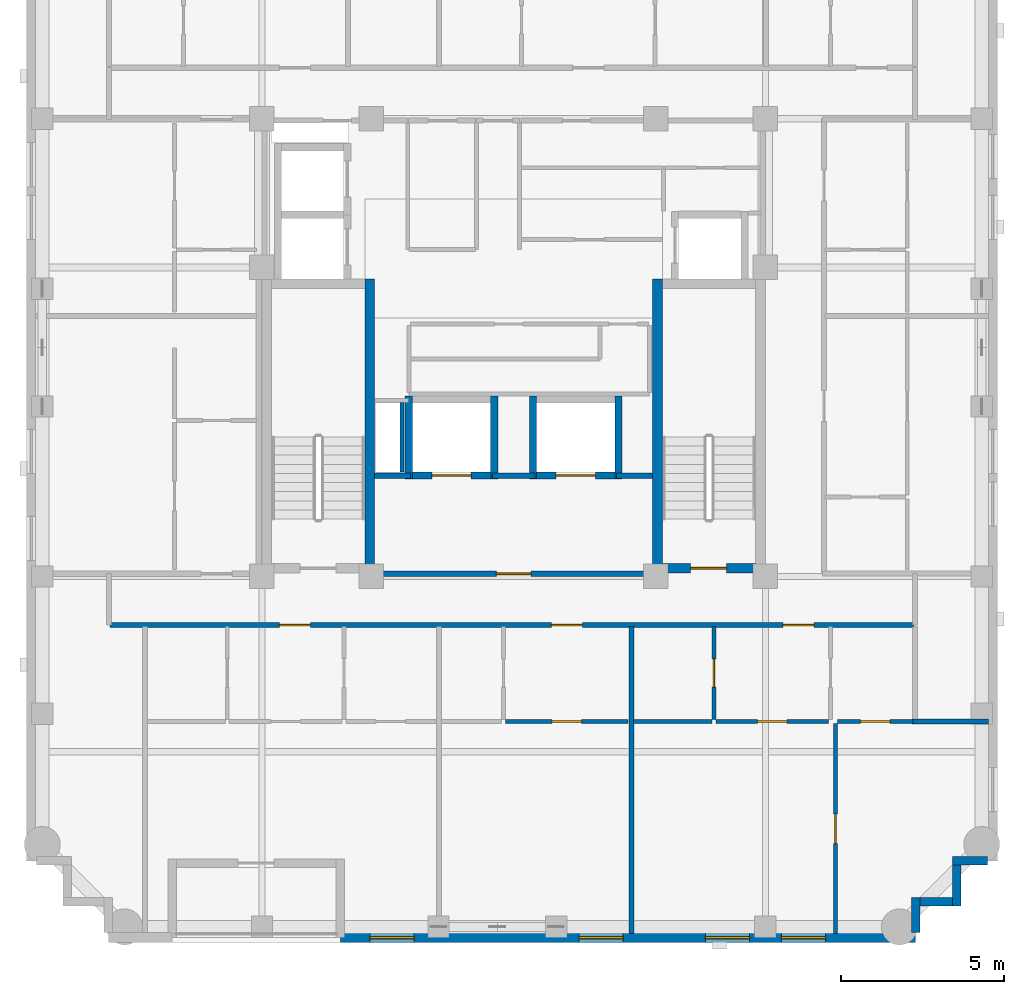
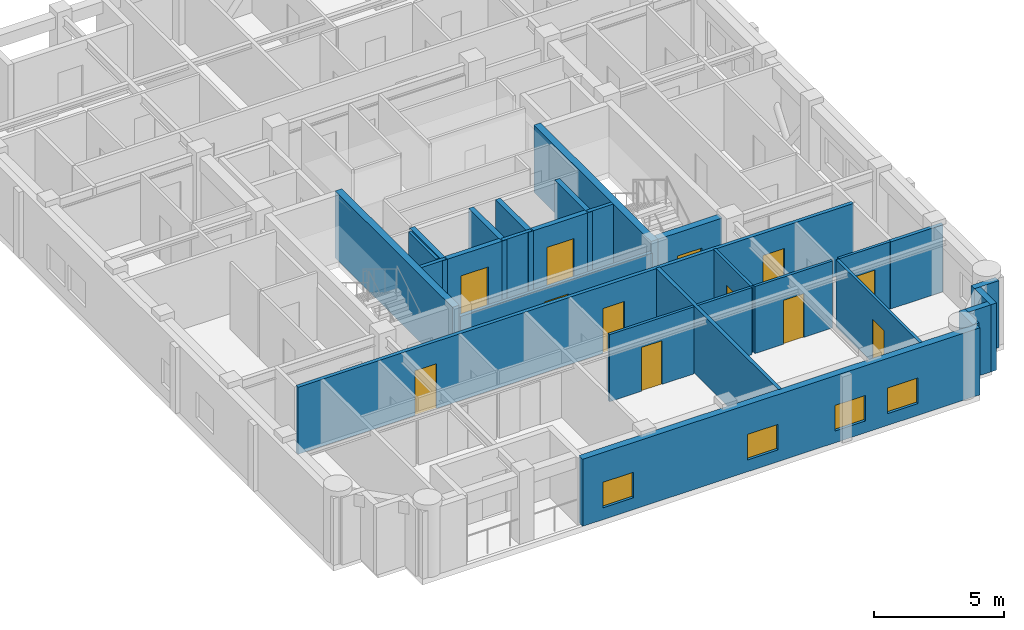
# One storey, part 3 of 10: 28 walls, 12 doors, 4 windows, 16 openings.
"""IFC4 building model written with IfcOpenShell, lengths in metres."""

from ifc_helpers import new_model, si_unit, derived_unit, direction, frame, frame_2d, origin, place, context, subcontext, project, spatial, rectangle, extrude, material, layer, layer_set, type_object, element, fill, save


model = new_model("IFC4")

# Units and contexts
model_context = context("Model", 3, precision=1e-05, world=origin(), true_north=direction((0.0, 1.0)))
body_context = subcontext(model_context, "Body", "Model", "MODEL_VIEW")
ifc_project = project(units=[si_unit("LENGTHUNIT", "METRE"), si_unit("AREAUNIT", "SQUARE_METRE"), si_unit("VOLUMEUNIT", "CUBIC_METRE"), si_unit("PLANEANGLEUNIT", "RADIAN"), si_unit("MASSUNIT", "GRAM", prefix="KILO"), derived_unit("THERMALTRANSMITTANCEUNIT", [(si_unit("MASSUNIT", "GRAM", prefix="KILO"), 1), (si_unit("TIMEUNIT", "SECOND"), -3), (si_unit("THERMODYNAMICTEMPERATUREUNIT", "KELVIN"), -1)])], contexts=[model_context])

# Site, building, storey
site_placement = place(None, origin())
site = spatial("IfcSite", under=ifc_project, at=site_placement, CompositionType="ELEMENT")
building_placement = place(site_placement, origin())
building = spatial("IfcBuilding", under=site, at=building_placement, Name="Korrvale Station Residences", CompositionType="ELEMENT")
storey_placement = place(building_placement, frame((0.0, 0.0, 237.699951171875)))
storey = spatial("IfcBuildingStorey", under=building, at=storey_placement, Name="L69", CompositionType="ELEMENT", Elevation=237.699951171875)

# Walls
ifc_material_1 = material(Name="Concrete C50/60", Category="concrete")
ifc_layer_1 = layer(ifc_material_1, 0.300048828125, Name="Concrete C50/60")
ifc_layer_set_1 = layer_set([ifc_layer_1], Name="Concrete C50/60")
wall_type_1 = type_object("IfcWallType", Name="WAL-CORE-300-C50", PredefinedType="SHEAR", material=ifc_layer_set_1)
for number, where, z_axis, x_axis, name in (
    (1, (21.10009765625, 15.10009765625, 0.0), (0.0, 0.0, 1.0), (0.0, 1.0, 0.0), "L69 ST-1 Core Shear Wall East"),
    (2, (29.89990234375, 15.10009765625, 0.0), (0.0, 0.0, 1.0), (0.0, 1.0, 0.0), "L69 ST-2 Core Shear Wall West"),
):
    element("IfcWall", number, at=place(storey_placement, frame(where, z_axis=z_axis, x_axis=x_axis)), inside=storey, type_object=wall_type_1, Name=name, PredefinedType="SHEAR", context=body_context, shape_type="SweptSolid", body=[
        extrude(rectangle(XDim=9.0, YDim=0.300048828125, at=frame_2d((4.5, 0.0))), origin(), (0.0, 0.0, 1.0), 3.14013671875),
    ])

# Wall, opening, door
wall_1_placement = place(storey_placement, frame((30.050048828125, 15.25, 0.0), z_axis=(0.0, 0.0, 1.0), x_axis=(1.0, 0.0, 0.0)))
wall_1 = element("IfcWall", 3, at=wall_1_placement, inside=storey, type_object=wall_type_1, Name="L69 ST-2 Core Shear Wall South", PredefinedType="SHEAR", context=body_context, shape_type="SweptSolid", body=[
    extrude(rectangle(XDim=2.849853515625, YDim=0.300048828125, at=frame_2d((1.4248046875, 0.0))), origin(), (0.0, 0.0, 1.0), 3.14013671875),
])
opening_1_placement = place(wall_1_placement, frame((0.860107421875, 0.0, 0.0)))
opening_1 = element("IfcOpeningElement", 4, at=opening_1_placement, cuts=wall_1, Name="Opening SD-1100", PredefinedType="OPENING", context=body_context, shape_type="SweptSolid", body=[
    extrude(rectangle(XDim=1.10009765625, YDim=2.050048828125, at=frame_2d((0.550048828125, 1.02490234375))), frame((0.0, 0.16015625, 0.0), z_axis=(0.0, -1.0, 0.0), x_axis=(1.0, 0.0, 0.0)), (0.0, 0.0, 1.0), 0.320068359375),
])
ifc_material_2 = material(Name="Hollow-metal fire-rated stair door with closer", Category="steel")
door_type_1 = type_object("IfcDoorType", Name="DR-STAIR-1100", OperationType="NOTDEFINED", PredefinedType="DOOR", material=ifc_material_2)
door_1_placement = place(opening_1_placement, origin())
door_1 = element("IfcDoor", 5, at=door_1_placement, inside=storey, type_object=door_type_1, Name="L69 ST-2 Exit Stair Door", OperationType="SINGLE_SWING_RIGHT", OverallHeight=2.050048828125, OverallWidth=1.10009765625, PredefinedType="DOOR", context=body_context, shape_type="SweptSolid", body=[
    extrude(rectangle(XDim=1.10009765625, YDim=2.050048828125, at=frame_2d((0.550048828125, 1.02490234375))), frame((0.0, 0.02490234375, 0.0), z_axis=(0.0, -1.0, 0.0), x_axis=(1.0, 0.0, 0.0)), (0.0, 0.0, 1.0), 0.050048828125),
])
fill(opening_1, door_1)

# Walls
ifc_material_3 = material(Name="Precast concrete C45/55", Category="concrete")
ifc_layer_2 = layer(ifc_material_3, 0.260009765625, Name="Precast concrete C45/55")
ifc_layer_set_2 = layer_set([ifc_layer_2], Name="Precast concrete C45/55")
wall_type_2 = type_object("IfcWallType", Name="WAL-EXT-LOG260", PredefinedType="SOLIDWALL", material=ifc_layer_set_2)
wall_2_placement = place(storey_placement, frame((39.998046875, 6.300048828125, 0.0), z_axis=(0.0, 0.0, 1.0), x_axis=(-1.0, 0.0, 0.0)))
element("IfcWall", 6, at=wall_2_placement, inside=storey, type_object=wall_type_2, Name="L69 Serrated Corner Precast Step SE-1", PredefinedType="SOLIDWALL", context=body_context, shape_type="SweptSolid", body=[
    extrude(rectangle(XDim=1.078125, YDim=0.260009765625, at=frame_2d((0.5390625, 0.0))), origin(), (0.0, 0.0, 1.0), 3.14013671875),
])
wall_3_placement = place(storey_placement, frame((39.050048828125, 6.16796875, 0.0), z_axis=(0.0, 0.0, 1.0), x_axis=(0.0, -1.0, 0.0)))
element("IfcWall", 7, at=wall_3_placement, inside=storey, type_object=wall_type_2, Name="L69 Serrated Corner Precast Step SE-2", PredefinedType="SOLIDWALL", context=body_context, shape_type="SweptSolid", body=[
    extrude(rectangle(XDim=1.248046875, YDim=0.260009765625, at=frame_2d((0.6240234375, 0.0))), origin(), (0.0, 0.0, 1.0), 3.14013671875),
])
wall_4_placement = place(storey_placement, frame((38.91796875, 5.050048828125, 0.0), z_axis=(0.0, 0.0, 1.0), x_axis=(-1.0, 0.0, 0.0)))
element("IfcWall", 8, at=wall_4_placement, inside=storey, type_object=wall_type_2, Name="L69 Serrated Corner Precast Step SE-3", PredefinedType="SOLIDWALL", context=body_context, shape_type="SweptSolid", body=[
    extrude(rectangle(XDim=0.986083984375, YDim=0.260009765625, at=frame_2d((0.4931640625, 0.0))), origin(), (0.0, 0.0, 1.0), 3.14013671875),
])
wall_5_placement = place(storey_placement, frame((37.800048828125, 5.179931640625, 0.0), z_axis=(0.0, 0.0, 1.0), x_axis=(0.0, -1.0, 0.0)))
element("IfcWall", 9, at=wall_5_placement, inside=storey, type_object=wall_type_2, Name="L69 Serrated Corner Precast Step SE-4", PredefinedType="SOLIDWALL", context=body_context, shape_type="SweptSolid", body=[
    extrude(rectangle(XDim=1.077880859375, YDim=0.260009765625, at=frame_2d((0.5390625, 0.0))), origin(), (0.0, 0.0, 1.0), 3.14013671875),
])

# Wall, openings, windows
ifc_layer_3 = layer(ifc_material_3, 0.300048828125, Name="Precast concrete C45/55")
ifc_layer_set_3 = layer_set([ifc_layer_3], Name="Precast concrete C45/55")
wall_type_3 = type_object("IfcWallType", Name="WAL-EXT-PC300", PredefinedType="SOLIDWALL", material=ifc_layer_set_3)
wall_6_placement = place(storey_placement, frame((37.800048828125, 3.949951171875, 0.0), z_axis=(0.0, 0.0, 1.0), x_axis=(-1.0, 0.0, 0.0)))
wall_6 = element("IfcWall", 10, at=wall_6_placement, inside=storey, type_object=wall_type_3, Name="L69 South Exterior Precast Wall 1", PredefinedType="SOLIDWALL", context=body_context, shape_type="SweptSolid", body=[
    extrude(rectangle(XDim=17.60009765625, YDim=0.300048828125, at=frame_2d((8.800048828125, 0.0))), origin(), (0.0, 0.0, 1.0), 3.14013671875),
])
opening_2_placement = place(wall_6_placement, frame((15.344970703125, 0.0, 0.550048828125)))
opening_2 = element("IfcOpeningElement", 11, at=opening_2_placement, cuts=wall_6, Name="Opening W-10", PredefinedType="OPENING", context=body_context, shape_type="SweptSolid", body=[
    extrude(rectangle(XDim=1.35009765625, YDim=1.199951171875, at=frame_2d((0.675048828125, 0.60009765625))), frame((0.0, 0.16015625, 0.0), z_axis=(0.0, -1.0, 0.0), x_axis=(1.0, 0.0, 0.0)), (0.0, 0.0, 1.0), 0.320068359375),
])
opening_3_placement = place(wall_6_placement, frame((8.949951171875, 0.0, 0.550048828125)))
opening_3 = element("IfcOpeningElement", 12, at=opening_3_placement, cuts=wall_6, Name="Opening W-10", PredefinedType="OPENING", context=body_context, shape_type="SweptSolid", body=[
    extrude(rectangle(XDim=1.35009765625, YDim=1.199951171875, at=frame_2d((0.675048828125, 0.60009765625))), frame((0.0, 0.16015625, 0.0), z_axis=(0.0, -1.0, 0.0), x_axis=(1.0, 0.0, 0.0)), (0.0, 0.0, 1.0), 0.320068359375),
])
opening_4_placement = place(wall_6_placement, frame((5.0849609375, 0.0, 0.550048828125)))
opening_4 = element("IfcOpeningElement", 13, at=opening_4_placement, cuts=wall_6, Name="Opening W-10", PredefinedType="OPENING", context=body_context, shape_type="SweptSolid", body=[
    extrude(rectangle(XDim=1.35009765625, YDim=1.199951171875, at=frame_2d((0.675048828125, 0.60009765625))), frame((0.0, 0.16015625, 0.0), z_axis=(0.0, -1.0, 0.0), x_axis=(1.0, 0.0, 0.0)), (0.0, 0.0, 1.0), 0.320068359375),
])
opening_5_placement = place(wall_6_placement, frame((2.757080078125, 0.0, 0.550048828125)))
opening_5 = element("IfcOpeningElement", 14, at=opening_5_placement, cuts=wall_6, Name="Opening W-10", PredefinedType="OPENING", context=body_context, shape_type="SweptSolid", body=[
    extrude(rectangle(XDim=1.35009765625, YDim=1.199951171875, at=frame_2d((0.675048828125, 0.60009765625))), frame((0.0, 0.16015625, 0.0), z_axis=(0.0, -1.0, 0.0), x_axis=(1.0, 0.0, 0.0)), (0.0, 0.0, 1.0), 0.320068359375),
])
ifc_material_4 = material(Name="Thermally broken aluminium frame with triple low-e glazing", Category="aluminium")
window_type = type_object("IfcWindowType", Name="WIN-W10", PartitioningType="SINGLE_PANEL", PredefinedType="WINDOW", material=ifc_material_4)
window_1_placement = place(opening_2_placement, origin())
window_1 = element("IfcWindow", 15, at=window_1_placement, inside=storey, type_object=window_type, Name="L69 Punched Window 01", OverallHeight=1.199951171875, OverallWidth=1.35009765625, PartitioningType="SINGLE_PANEL", PredefinedType="WINDOW", context=body_context, shape_type="SweptSolid", body=[
    extrude(rectangle(XDim=1.35009765625, YDim=1.199951171875, at=frame_2d((0.675048828125, 0.60009765625))), frame((0.0, 0.030029296875, 0.0), z_axis=(0.0, -1.0, 0.0), x_axis=(1.0, 0.0, 0.0)), (0.0, 0.0, 1.0), 0.06005859375),
])
fill(opening_2, window_1)
window_2_placement = place(opening_3_placement, origin())
window_2 = element("IfcWindow", 16, at=window_2_placement, inside=storey, type_object=window_type, Name="L69 Punched Window 02", OverallHeight=1.199951171875, OverallWidth=1.35009765625, PartitioningType="SINGLE_PANEL", PredefinedType="WINDOW", context=body_context, shape_type="SweptSolid", body=[
    extrude(rectangle(XDim=1.35009765625, YDim=1.199951171875, at=frame_2d((0.675048828125, 0.60009765625))), frame((0.0, 0.030029296875, 0.0), z_axis=(0.0, -1.0, 0.0), x_axis=(1.0, 0.0, 0.0)), (0.0, 0.0, 1.0), 0.06005859375),
])
fill(opening_3, window_2)
window_3_placement = place(opening_4_placement, origin())
window_3 = element("IfcWindow", 17, at=window_3_placement, inside=storey, type_object=window_type, Name="L69 Punched Window 03", OverallHeight=1.199951171875, OverallWidth=1.35009765625, PartitioningType="SINGLE_PANEL", PredefinedType="WINDOW", context=body_context, shape_type="SweptSolid", body=[
    extrude(rectangle(XDim=1.35009765625, YDim=1.199951171875, at=frame_2d((0.675048828125, 0.60009765625))), frame((0.0, 0.030029296875, 0.0), z_axis=(0.0, -1.0, 0.0), x_axis=(1.0, 0.0, 0.0)), (0.0, 0.0, 1.0), 0.06005859375),
])
fill(opening_4, window_3)
window_4_placement = place(opening_5_placement, origin())
window_4 = element("IfcWindow", 18, at=window_4_placement, inside=storey, type_object=window_type, Name="L69 Punched Window 04", OverallHeight=1.199951171875, OverallWidth=1.35009765625, PartitioningType="SINGLE_PANEL", PredefinedType="WINDOW", context=body_context, shape_type="SweptSolid", body=[
    extrude(rectangle(XDim=1.35009765625, YDim=1.199951171875, at=frame_2d((0.675048828125, 0.60009765625))), frame((0.0, 0.030029296875, 0.0), z_axis=(0.0, -1.0, 0.0), x_axis=(1.0, 0.0, 0.0)), (0.0, 0.0, 1.0), 0.06005859375),
])
fill(opening_5, window_4)

# Wall
ifc_material_5 = material(Name="Acoustic steel-stud gypsum board partition", Category="steel")
ifc_layer_4 = layer(ifc_material_5, 0.1201171875, Name="Acoustic steel-stud gypsum board partition")
ifc_layer_set_4 = layer_set([ifc_layer_4], Name="Acoustic steel-stud gypsum board partition")
wall_type_4 = type_object("IfcWallType", Name="WAL-PART-125", PredefinedType="PARTITIONING", material=ifc_layer_set_4)
wall_7_placement = place(storey_placement, frame((22.080078125, 18.199951171875, 0.0), z_axis=(0.0, 0.0, 1.0), x_axis=(0.0, 1.0, 0.0)))
element("IfcWall", 19, at=wall_7_placement, inside=storey, type_object=wall_type_4, Name="L69 Core Partition CW-RSWT", PredefinedType="PARTITIONING", context=body_context, shape_type="SweptSolid", body=[
    extrude(rectangle(XDim=2.1201171875, YDim=0.1201171875, at=frame_2d((1.06005859375, 0.0))), origin(), (0.0, 0.0, 1.0), 3.14013671875),
])

# Wall, opening, door
wall_8_placement = place(storey_placement, frame((25.25, 10.56005859375, 0.0), z_axis=(0.0, 0.0, 1.0), x_axis=(1.0, 0.0, 0.0)))
wall_8 = element("IfcWall", 20, at=wall_8_placement, inside=storey, type_object=wall_type_4, Name="L69 Suite Partition U02-H12", PredefinedType="PARTITIONING", context=body_context, shape_type="SweptSolid", body=[
    extrude(rectangle(XDim=3.7548828125, YDim=0.1201171875, at=frame_2d((1.87744140625, 0.0))), origin(), (0.0, 0.0, 1.0), 3.14013671875),
])
opening_6_placement = place(wall_8_placement, frame((1.427001953125, 0.0, 0.0)))
opening_6 = element("IfcOpeningElement", 21, at=opening_6_placement, cuts=wall_8, Name="Opening DI-900", PredefinedType="OPENING", context=body_context, shape_type="SweptSolid", body=[
    extrude(rectangle(XDim=0.89990234375, YDim=2.050048828125, at=frame_2d((0.449951171875, 1.02490234375))), frame((0.0, 0.070068359375, 0.0), z_axis=(0.0, -1.0, 0.0), x_axis=(1.0, 0.0, 0.0)), (0.0, 0.0, 1.0), 0.14013671875),
])
ifc_material_6 = material(Name="Painted solid-core timber interior room door", Category="wood")
door_type_2 = type_object("IfcDoorType", Name="DR-INT-900", OperationType="NOTDEFINED", PredefinedType="DOOR", material=ifc_material_6)
door_2_placement = place(opening_6_placement, origin())
door_2 = element("IfcDoor", 22, at=door_2_placement, inside=storey, type_object=door_type_2, Name="L69 Studio Apartment L69-U02 Kitchen Door", OperationType="SINGLE_SWING_RIGHT", OverallHeight=2.050048828125, OverallWidth=0.89990234375, PredefinedType="DOOR", context=body_context, shape_type="SweptSolid", body=[
    extrude(rectangle(XDim=0.89990234375, YDim=2.050048828125, at=frame_2d((0.449951171875, 1.02490234375))), frame((0.0, 0.02490234375, 0.0), z_axis=(0.0, -1.0, 0.0), x_axis=(1.0, 0.0, 0.0)), (0.0, 0.0, 1.0), 0.050048828125),
])
fill(opening_6, door_2)

wall_9_placement = place(storey_placement, frame((31.625, 10.6201171875, 0.0), z_axis=(0.0, 0.0, 1.0), x_axis=(0.0, 1.0, 0.0)))
wall_9 = element("IfcWall", 23, at=wall_9_placement, inside=storey, type_object=wall_type_4, Name="L69 Suite Partition U03-V01", PredefinedType="PARTITIONING", context=body_context, shape_type="SweptSolid", body=[
    extrude(rectangle(XDim=2.849853515625, YDim=0.1201171875, at=frame_2d((1.4248046875, 0.0))), origin(), (0.0, 0.0, 1.0), 3.14013671875),
])
opening_7_placement = place(wall_9_placement, frame((0.9951171875, 0.0, 0.0)))
opening_7 = element("IfcOpeningElement", 24, at=opening_7_placement, cuts=wall_9, Name="Opening DB-860", PredefinedType="OPENING", context=body_context, shape_type="SweptSolid", body=[
    extrude(rectangle(XDim=0.860107421875, YDim=2.050048828125, at=frame_2d((0.43017578125, 1.02490234375))), frame((0.0, 0.070068359375, 0.0), z_axis=(0.0, -1.0, 0.0), x_axis=(1.0, 0.0, 0.0)), (0.0, 0.0, 1.0), 0.14013671875),
])
ifc_material_7 = material(Name="Moisture-resistant solid-core bathroom door", Category="timber")
door_type_3 = type_object("IfcDoorType", Name="DR-BATH-860", OperationType="NOTDEFINED", PredefinedType="DOOR", material=ifc_material_7)
door_3_placement = place(opening_7_placement, origin())
door_3 = element("IfcDoor", 25, at=door_3_placement, inside=storey, type_object=door_type_3, Name="L69 Apartment 1BR L69-U03 Bathroom Door", OperationType="SINGLE_SWING_LEFT", OverallHeight=2.050048828125, OverallWidth=0.860107421875, PredefinedType="DOOR", context=body_context, shape_type="SweptSolid", body=[
    extrude(rectangle(XDim=0.860107421875, YDim=2.050048828125, at=frame_2d((0.43017578125, 1.02490234375))), frame((0.0, 0.02490234375, 0.0), z_axis=(0.0, -1.0, 0.0), x_axis=(1.0, 0.0, 0.0)), (0.0, 0.0, 1.0), 0.050048828125),
])
fill(opening_7, door_3)

# Wall
wall_10_placement = place(storey_placement, frame((29.1650390625, 10.56005859375, 0.0), z_axis=(0.0, 0.0, 1.0), x_axis=(1.0, 0.0, 0.0)))
element("IfcWall", 26, at=wall_10_placement, inside=storey, type_object=wall_type_4, Name="L69 Suite Partition U03-H03", PredefinedType="PARTITIONING", context=body_context, shape_type="SweptSolid", body=[
    extrude(rectangle(XDim=2.39990234375, YDim=0.1201171875, at=frame_2d((1.199951171875, 0.0))), origin(), (0.0, 0.0, 1.0), 3.14013671875),
])

# Wall, opening, door
wall_11_placement = place(storey_placement, frame((31.68505859375, 10.56005859375, 0.0), z_axis=(0.0, 0.0, 1.0), x_axis=(1.0, 0.0, 0.0)))
wall_11 = element("IfcWall", 27, at=wall_11_placement, inside=storey, type_object=wall_type_4, Name="L69 Suite Partition U03-H13", PredefinedType="PARTITIONING", context=body_context, shape_type="SweptSolid", body=[
    extrude(rectangle(XDim=3.449951171875, YDim=0.1201171875, at=frame_2d((1.72509765625, 0.0))), origin(), (0.0, 0.0, 1.0), 3.14013671875),
])
opening_8_placement = place(wall_11_placement, frame((1.27490234375, 0.0, 0.0)))
opening_8 = element("IfcOpeningElement", 28, at=opening_8_placement, cuts=wall_11, Name="Opening DI-900", PredefinedType="OPENING", context=body_context, shape_type="SweptSolid", body=[
    extrude(rectangle(XDim=0.89990234375, YDim=2.050048828125, at=frame_2d((0.449951171875, 1.02490234375))), frame((0.0, 0.070068359375, 0.0), z_axis=(0.0, -1.0, 0.0), x_axis=(1.0, 0.0, 0.0)), (0.0, 0.0, 1.0), 0.14013671875),
])
door_4_placement = place(opening_8_placement, origin())
door_4 = element("IfcDoor", 29, at=door_4_placement, inside=storey, type_object=door_type_2, Name="L69 Apartment 1BR L69-U03 Kitchen Door", OperationType="SINGLE_SWING_LEFT", OverallHeight=2.050048828125, OverallWidth=0.89990234375, PredefinedType="DOOR", context=body_context, shape_type="SweptSolid", body=[
    extrude(rectangle(XDim=0.89990234375, YDim=2.050048828125, at=frame_2d((0.449951171875, 1.02490234375))), frame((0.0, 0.02490234375, 0.0), z_axis=(0.0, -1.0, 0.0), x_axis=(1.0, 0.0, 0.0)), (0.0, 0.0, 1.0), 0.050048828125),
])
fill(opening_8, door_4)

wall_12_placement = place(storey_placement, frame((35.409912109375, 10.56005859375, 0.0), z_axis=(0.0, 0.0, 1.0), x_axis=(1.0, 0.0, 0.0)))
wall_12 = element("IfcWall", 30, at=wall_12_placement, inside=storey, type_object=wall_type_4, Name="L69 Suite Partition U03-H24", PredefinedType="PARTITIONING", context=body_context, shape_type="SweptSolid", body=[
    extrude(rectangle(XDim=2.31005859375, YDim=0.1201171875, at=frame_2d((1.155029296875, 0.0))), origin(), (0.0, 0.0, 1.0), 3.14013671875),
])
opening_9_placement = place(wall_12_placement, frame((0.705078125, 0.0, 0.0)))
opening_9 = element("IfcOpeningElement", 31, at=opening_9_placement, cuts=wall_12, Name="Opening DI-900", PredefinedType="OPENING", context=body_context, shape_type="SweptSolid", body=[
    extrude(rectangle(XDim=0.89990234375, YDim=2.050048828125, at=frame_2d((0.449951171875, 1.02490234375))), frame((0.0, 0.070068359375, 0.0), z_axis=(0.0, -1.0, 0.0), x_axis=(1.0, 0.0, 0.0)), (0.0, 0.0, 1.0), 0.14013671875),
])
door_5_placement = place(opening_9_placement, origin())
door_5 = element("IfcDoor", 32, at=door_5_placement, inside=storey, type_object=door_type_2, Name="L69 Apartment 1BR L69-U03 Utility and Laundry Room Door", OperationType="SINGLE_SWING_RIGHT", OverallHeight=2.050048828125, OverallWidth=0.89990234375, PredefinedType="DOOR", context=body_context, shape_type="SweptSolid", body=[
    extrude(rectangle(XDim=0.89990234375, YDim=2.050048828125, at=frame_2d((0.449951171875, 1.02490234375))), frame((0.0, 0.02490234375, 0.0), z_axis=(0.0, -1.0, 0.0), x_axis=(1.0, 0.0, 0.0)), (0.0, 0.0, 1.0), 0.050048828125),
])
fill(opening_9, door_5)

wall_13_placement = place(storey_placement, frame((35.35009765625, 4.080078125, 0.0), z_axis=(0.0, 0.0, 1.0), x_axis=(0.0, 1.0, 0.0)))
wall_13 = element("IfcWall", 33, at=wall_13_placement, inside=storey, type_object=wall_type_4, Name="L69 Suite Partition U03-V34", PredefinedType="PARTITIONING", context=body_context, shape_type="SweptSolid", body=[
    extrude(rectangle(XDim=6.419921875, YDim=0.1201171875, at=frame_2d((3.2099609375, 0.0))), origin(), (0.0, 0.0, 1.0), 3.14013671875),
])
opening_10_placement = place(wall_13_placement, frame((2.7451171875, 0.0, 0.0)))
opening_10 = element("IfcOpeningElement", 34, at=opening_10_placement, cuts=wall_13, Name="Opening DI-900", PredefinedType="OPENING", context=body_context, shape_type="SweptSolid", body=[
    extrude(rectangle(XDim=0.89990234375, YDim=2.050048828125, at=frame_2d((0.449951171875, 1.02490234375))), frame((0.0, 0.070068359375, 0.0), z_axis=(0.0, -1.0, 0.0), x_axis=(1.0, 0.0, 0.0)), (0.0, 0.0, 1.0), 0.14013671875),
])
door_6_placement = place(opening_10_placement, origin())
door_6 = element("IfcDoor", 35, at=door_6_placement, inside=storey, type_object=door_type_2, Name="L69 Apartment 1BR L69-U03 Living and Dining Room Door", OperationType="SINGLE_SWING_LEFT", OverallHeight=2.050048828125, OverallWidth=0.89990234375, PredefinedType="DOOR", context=body_context, shape_type="SweptSolid", body=[
    extrude(rectangle(XDim=0.89990234375, YDim=2.050048828125, at=frame_2d((0.449951171875, 1.02490234375))), frame((0.0, 0.02490234375, 0.0), z_axis=(0.0, -1.0, 0.0), x_axis=(1.0, 0.0, 0.0)), (0.0, 0.0, 1.0), 0.050048828125),
])
fill(opening_10, door_6)

ifc_material_8 = material(Name="Fire-rated twin-stud gypsum and mineral wool shaftwall assembly", Category="gypsum")
ifc_layer_5 = layer(ifc_material_8, 0.159912109375, Name="Fire-rated twin-stud gypsum and mineral wool shaftwall assembly")
ifc_layer_set_5 = layer_set([ifc_layer_5], Name="Fire-rated twin-stud gypsum and mineral wool shaftwall assembly")
wall_type_5 = type_object("IfcWallType", Name="WAL-PART-200", PredefinedType="PARTITIONING", material=ifc_layer_set_5)
wall_14_placement = place(storey_placement, frame((21.25, 15.080078125, 0.0), z_axis=(0.0, 0.0, 1.0), x_axis=(1.0, 0.0, 0.0)))
wall_14 = element("IfcWall", 36, at=wall_14_placement, inside=storey, type_object=wall_type_5, Name="L69 Core Partition CW-FFL-S", PredefinedType="PARTITIONING", context=body_context, shape_type="SweptSolid", body=[
    extrude(rectangle(XDim=8.5, YDim=0.159912109375, at=frame_2d((4.25, 0.0))), origin(), (0.0, 0.0, 1.0), 2.66796875),
])
opening_11_placement = place(wall_14_placement, frame((3.72509765625, 0.0, 0.0)))
opening_11 = element("IfcOpeningElement", 37, at=opening_11_placement, cuts=wall_14, Name="Opening FD-1050", PredefinedType="OPENING", context=body_context, shape_type="SweptSolid", body=[
    extrude(rectangle(XDim=1.050048828125, YDim=2.050048828125, at=frame_2d((0.52490234375, 1.02490234375))), frame((0.0, 0.08984375, 0.0), z_axis=(0.0, -1.0, 0.0), x_axis=(1.0, 0.0, 0.0)), (0.0, 0.0, 1.0), 0.179931640625),
])
ifc_material_9 = material(Name="Fire-rated mineral-core timber lobby door", Category="wood")
door_type_4 = type_object("IfcDoorType", Name="DR-CORE-1050", OperationType="NOTDEFINED", PredefinedType="DOOR", material=ifc_material_9)
door_7_placement = place(opening_11_placement, origin())
door_7 = element("IfcDoor", 38, at=door_7_placement, inside=storey, type_object=door_type_4, Name="L69 Firefighting Lobby Entry Door", OperationType="SINGLE_SWING_RIGHT", OverallHeight=2.050048828125, OverallWidth=1.050048828125, PredefinedType="DOOR", context=body_context, shape_type="SweptSolid", body=[
    extrude(rectangle(XDim=1.050048828125, YDim=2.050048828125, at=frame_2d((0.52490234375, 1.02490234375))), frame((0.0, 0.02490234375, 0.0), z_axis=(0.0, -1.0, 0.0), x_axis=(1.0, 0.0, 0.0)), (0.0, 0.0, 1.0), 0.050048828125),
])
fill(opening_11, door_7)

# Walls
wall_15_placement = place(storey_placement, frame((21.25, 18.080078125, 0.0), z_axis=(0.0, 0.0, 1.0), x_axis=(1.0, 0.0, 0.0)))
element("IfcWall", 39, at=wall_15_placement, inside=storey, type_object=wall_type_5, Name="L69 Core Partition CW-FFL-N1", PredefinedType="PARTITIONING", context=body_context, shape_type="SweptSolid", body=[
    extrude(rectangle(XDim=1.10009765625, YDim=0.159912109375, at=frame_2d((0.550048828125, 0.0))), origin(), (0.0, 0.0, 1.0), 3.14013671875),
])
wall_16_placement = place(storey_placement, frame((24.85009765625, 18.080078125, 0.0), z_axis=(0.0, 0.0, 1.0), x_axis=(1.0, 0.0, 0.0)))
element("IfcWall", 40, at=wall_16_placement, inside=storey, type_object=wall_type_5, Name="L69 Core Partition CW-FFL-N2", PredefinedType="PARTITIONING", context=body_context, shape_type="SweptSolid", body=[
    extrude(rectangle(XDim=1.2998046875, YDim=0.159912109375, at=frame_2d((0.64990234375, 0.0))), origin(), (0.0, 0.0, 1.0), 3.14013671875),
])
wall_17_placement = place(storey_placement, frame((28.64990234375, 18.080078125, 0.0), z_axis=(0.0, 0.0, 1.0), x_axis=(1.0, 0.0, 0.0)))
element("IfcWall", 41, at=wall_17_placement, inside=storey, type_object=wall_type_5, Name="L69 Core Partition CW-FFL-N3", PredefinedType="PARTITIONING", context=body_context, shape_type="SweptSolid", body=[
    extrude(rectangle(XDim=1.10009765625, YDim=0.159912109375, at=frame_2d((0.550048828125, 0.0))), origin(), (0.0, 0.0, 1.0), 3.14013671875),
])
wall_18_placement = place(storey_placement, frame((37.679931640625, 10.56005859375, 0.0), z_axis=(0.0, 0.0, 1.0), x_axis=(1.0, 0.0, 0.0)))
element("IfcWall", 42, at=wall_18_placement, inside=storey, type_object=wall_type_5, Name="L69 Corner Step Wall U03-R", PredefinedType="PARTITIONING", context=body_context, shape_type="SweptSolid", body=[
    extrude(rectangle(XDim=2.340087890625, YDim=0.159912109375, at=frame_2d((1.169921875, 0.0))), origin(), (0.0, 0.0, 1.0), 3.14013671875),
])
wall_19_placement = place(storey_placement, frame((29.10498046875, 4.080078125, 0.0), z_axis=(0.0, 0.0, 1.0), x_axis=(0.0, 1.0, 0.0)))
element("IfcWall", 43, at=wall_19_placement, inside=storey, type_object=wall_type_5, Name="L69 Demising Wall U03-W", PredefinedType="PARTITIONING", context=body_context, shape_type="SweptSolid", body=[
    extrude(rectangle(XDim=9.389892578125, YDim=0.159912109375, at=frame_2d((4.69482421875, 0.0))), origin(), (0.0, 0.0, 1.0), 3.14013671875),
])

# Wall, openings, doors
wall_20_placement = place(storey_placement, frame((13.14990234375, 13.510009765625, 0.0), z_axis=(0.0, 0.0, 1.0), x_axis=(1.0, 0.0, 0.0)))
wall_20 = element("IfcWall", 44, at=wall_20_placement, inside=storey, type_object=wall_type_5, Name="L69 Rated Corridor Wall S", PredefinedType="PARTITIONING", context=body_context, shape_type="SweptSolid", body=[
    extrude(rectangle(XDim=24.60009765625, YDim=0.159912109375, at=frame_2d((12.300048828125, 0.0))), origin(), (0.0, 0.0, 1.0), 3.14013671875),
])
opening_12_placement = place(wall_20_placement, frame((5.18505859375, 0.0, 0.0)))
opening_12 = element("IfcOpeningElement", 45, at=opening_12_placement, cuts=wall_20, Name="Opening UD-950", PredefinedType="OPENING", context=body_context, shape_type="SweptSolid", body=[
    extrude(rectangle(XDim=0.949951171875, YDim=2.10009765625, at=frame_2d((0.47509765625, 1.050048828125))), frame((0.0, 0.08984375, 0.0), z_axis=(0.0, -1.0, 0.0), x_axis=(1.0, 0.0, 0.0)), (0.0, 0.0, 1.0), 0.179931640625),
])
opening_13_placement = place(wall_20_placement, frame((13.5029296875, 0.0, 0.0)))
opening_13 = element("IfcOpeningElement", 46, at=opening_13_placement, cuts=wall_20, Name="Opening UD-950", PredefinedType="OPENING", context=body_context, shape_type="SweptSolid", body=[
    extrude(rectangle(XDim=0.949951171875, YDim=2.10009765625, at=frame_2d((0.47509765625, 1.050048828125))), frame((0.0, 0.08984375, 0.0), z_axis=(0.0, -1.0, 0.0), x_axis=(1.0, 0.0, 0.0)), (0.0, 0.0, 1.0), 0.179931640625),
])
opening_14_placement = place(wall_20_placement, frame((20.5849609375, 0.0, 0.0)))
opening_14 = element("IfcOpeningElement", 47, at=opening_14_placement, cuts=wall_20, Name="Opening UD-950", PredefinedType="OPENING", context=body_context, shape_type="SweptSolid", body=[
    extrude(rectangle(XDim=0.949951171875, YDim=2.10009765625, at=frame_2d((0.47509765625, 1.050048828125))), frame((0.0, 0.08984375, 0.0), z_axis=(0.0, -1.0, 0.0), x_axis=(1.0, 0.0, 0.0)), (0.0, 0.0, 1.0), 0.179931640625),
])
ifc_material_10 = material(Name="Solid-core acoustic oak apartment entrance door", Category="timber")
door_type_5 = type_object("IfcDoorType", Name="DR-UNIT-950", OperationType="NOTDEFINED", PredefinedType="DOOR", material=ifc_material_10)
door_8_placement = place(opening_12_placement, origin())
door_8 = element("IfcDoor", 48, at=door_8_placement, inside=storey, type_object=door_type_5, Name="L69 Apartment L69-U01 Entrance Door", OperationType="SINGLE_SWING_LEFT", OverallHeight=2.10009765625, OverallWidth=0.949951171875, PredefinedType="DOOR", context=body_context, shape_type="SweptSolid", body=[
    extrude(rectangle(XDim=0.949951171875, YDim=2.10009765625, at=frame_2d((0.47509765625, 1.050048828125))), frame((0.0, 0.02490234375, 0.0), z_axis=(0.0, -1.0, 0.0), x_axis=(1.0, 0.0, 0.0)), (0.0, 0.0, 1.0), 0.050048828125),
])
fill(opening_12, door_8)
door_9_placement = place(opening_13_placement, origin())
door_9 = element("IfcDoor", 49, at=door_9_placement, inside=storey, type_object=door_type_5, Name="L69 Apartment L69-U02 Entrance Door", OperationType="SINGLE_SWING_RIGHT", OverallHeight=2.10009765625, OverallWidth=0.949951171875, PredefinedType="DOOR", context=body_context, shape_type="SweptSolid", body=[
    extrude(rectangle(XDim=0.949951171875, YDim=2.10009765625, at=frame_2d((0.47509765625, 1.050048828125))), frame((0.0, 0.02490234375, 0.0), z_axis=(0.0, -1.0, 0.0), x_axis=(1.0, 0.0, 0.0)), (0.0, 0.0, 1.0), 0.050048828125),
])
fill(opening_13, door_9)
door_10_placement = place(opening_14_placement, origin())
door_10 = element("IfcDoor", 50, at=door_10_placement, inside=storey, type_object=door_type_5, Name="L69 Apartment L69-U03 Entrance Door", OperationType="SINGLE_SWING_LEFT", OverallHeight=2.10009765625, OverallWidth=0.949951171875, PredefinedType="DOOR", context=body_context, shape_type="SweptSolid", body=[
    extrude(rectangle(XDim=0.949951171875, YDim=2.10009765625, at=frame_2d((0.47509765625, 1.050048828125))), frame((0.0, 0.02490234375, 0.0), z_axis=(0.0, -1.0, 0.0), x_axis=(1.0, 0.0, 0.0)), (0.0, 0.0, 1.0), 0.050048828125),
])
fill(opening_14, door_10)

# Wall, opening, door
ifc_layer_6 = layer(ifc_material_1, 0.219970703125, Name="Concrete C50/60")
ifc_layer_set_6 = layer_set([ifc_layer_6], Name="Concrete C50/60")
wall_type_6 = type_object("IfcWallType", Name="WAL-SHAFT-220-C50", PredefinedType="SHEAR", material=ifc_layer_set_6)
wall_21_placement = place(storey_placement, frame((22.39990234375, 18.090087890625, 0.0), z_axis=(0.0, 0.0, 1.0), x_axis=(1.0, 0.0, 0.0)))
wall_21 = element("IfcWall", 51, at=wall_21_placement, inside=storey, type_object=wall_type_6, Name="L69 Elevator FFL-1 Hoistway Wall South", PredefinedType="SHEAR", context=body_context, shape_type="SweptSolid", body=[
    extrude(rectangle(XDim=2.400146484375, YDim=0.219970703125, at=frame_2d((1.2001953125, 0.0))), origin(), (0.0, 0.0, 1.0), 3.14013671875),
])
opening_15_placement = place(wall_21_placement, frame((0.60009765625, 0.0, 0.0)))
opening_15 = element("IfcOpeningElement", 52, at=opening_15_placement, cuts=wall_21, Name="Opening LD-FF1200", PredefinedType="OPENING", context=body_context, shape_type="SweptSolid", body=[
    extrude(rectangle(XDim=1.199951171875, YDim=2.14990234375, at=frame_2d((0.60009765625, 1.074951171875))), frame((0.0, 0.1201171875, 0.0), z_axis=(0.0, -1.0, 0.0), x_axis=(1.0, 0.0, 0.0)), (0.0, 0.0, 1.0), 0.239990234375),
])
ifc_material_11 = material(Name="Stainless-steel firefighter elevator landing sliding door", Category="steel")
door_type_6 = type_object("IfcDoorType", Name="DR-LIFT-FF1200", OperationType="SLIDING_TO_LEFT", PredefinedType="DOOR", material=ifc_material_11)
door_11_placement = place(opening_15_placement, origin())
door_11 = element("IfcDoor", 53, at=door_11_placement, inside=storey, type_object=door_type_6, Name="L69 Elevator FFL-1 Sliding Landing Door", OperationType="SLIDING_TO_LEFT", OverallHeight=2.14990234375, OverallWidth=1.199951171875, PredefinedType="DOOR", context=body_context, shape_type="SweptSolid", body=[
    extrude(rectangle(XDim=1.199951171875, YDim=2.14990234375, at=frame_2d((0.60009765625, 1.074951171875))), frame((0.0, 0.02490234375, 0.0), z_axis=(0.0, -1.0, 0.0), x_axis=(1.0, 0.0, 0.0)), (0.0, 0.0, 1.0), 0.050048828125),
])
fill(opening_15, door_11)

# Walls
for number, where, z_axis, x_axis, name in (
    (54, (22.2900390625, 17.97998046875, 0.0), (0.0, 0.0, 1.0), (0.0, 1.0, 0.0), "L69 Elevator FFL-1 Hoistway Wall West"),
    (55, (24.909912109375, 17.97998046875, 0.0), (0.0, 0.0, 1.0), (0.0, 1.0, 0.0), "L69 Elevator FFL-1 Hoistway Wall East"),
):
    element("IfcWall", number, at=place(storey_placement, frame(where, z_axis=z_axis, x_axis=x_axis)), inside=storey, type_object=wall_type_6, Name=name, PredefinedType="SHEAR", context=body_context, shape_type="SweptSolid", body=[
        extrude(rectangle(XDim=2.5400390625, YDim=0.219970703125, at=frame_2d((1.27001953125, 0.0))), origin(), (0.0, 0.0, 1.0), 3.14013671875),
    ])

# Wall, opening, door
wall_22_placement = place(storey_placement, frame((26.199951171875, 18.090087890625, 0.0), z_axis=(0.0, 0.0, 1.0), x_axis=(1.0, 0.0, 0.0)))
wall_22 = element("IfcWall", 56, at=wall_22_placement, inside=storey, type_object=wall_type_6, Name="L69 Elevator FFL-2 Hoistway Wall South", PredefinedType="SHEAR", context=body_context, shape_type="SweptSolid", body=[
    extrude(rectangle(XDim=2.400146484375, YDim=0.219970703125, at=frame_2d((1.2001953125, 0.0))), origin(), (0.0, 0.0, 1.0), 3.14013671875),
])
opening_16_placement = place(wall_22_placement, frame((0.60009765625, 0.0, 0.0)))
opening_16 = element("IfcOpeningElement", 57, at=opening_16_placement, cuts=wall_22, Name="Opening LD-FF1200", PredefinedType="OPENING", context=body_context, shape_type="SweptSolid", body=[
    extrude(rectangle(XDim=1.199951171875, YDim=2.14990234375, at=frame_2d((0.60009765625, 1.074951171875))), frame((0.0, 0.1201171875, 0.0), z_axis=(0.0, -1.0, 0.0), x_axis=(1.0, 0.0, 0.0)), (0.0, 0.0, 1.0), 0.239990234375),
])
door_12_placement = place(opening_16_placement, origin())
door_12 = element("IfcDoor", 58, at=door_12_placement, inside=storey, type_object=door_type_6, Name="L69 Elevator FFL-2 Sliding Landing Door", OperationType="SLIDING_TO_LEFT", OverallHeight=2.14990234375, OverallWidth=1.199951171875, PredefinedType="DOOR", context=body_context, shape_type="SweptSolid", body=[
    extrude(rectangle(XDim=1.199951171875, YDim=2.14990234375, at=frame_2d((0.60009765625, 1.074951171875))), frame((0.0, 0.02490234375, 0.0), z_axis=(0.0, -1.0, 0.0), x_axis=(1.0, 0.0, 0.0)), (0.0, 0.0, 1.0), 0.050048828125),
])
fill(opening_16, door_12)

# Walls
for number, where, z_axis, x_axis, name in (
    (59, (26.090087890625, 17.97998046875, 0.0), (0.0, 0.0, 1.0), (0.0, 1.0, 0.0), "L69 Elevator FFL-2 Hoistway Wall West"),
    (60, (28.7099609375, 17.97998046875, 0.0), (0.0, 0.0, 1.0), (0.0, 1.0, 0.0), "L69 Elevator FFL-2 Hoistway Wall East"),
):
    element("IfcWall", number, at=place(storey_placement, frame(where, z_axis=z_axis, x_axis=x_axis)), inside=storey, type_object=wall_type_6, Name=name, PredefinedType="SHEAR", context=body_context, shape_type="SweptSolid", body=[
        extrude(rectangle(XDim=2.5400390625, YDim=0.219970703125, at=frame_2d((1.27001953125, 0.0))), origin(), (0.0, 0.0, 1.0), 3.14013671875),
    ])

save(model, "model.ifc")
